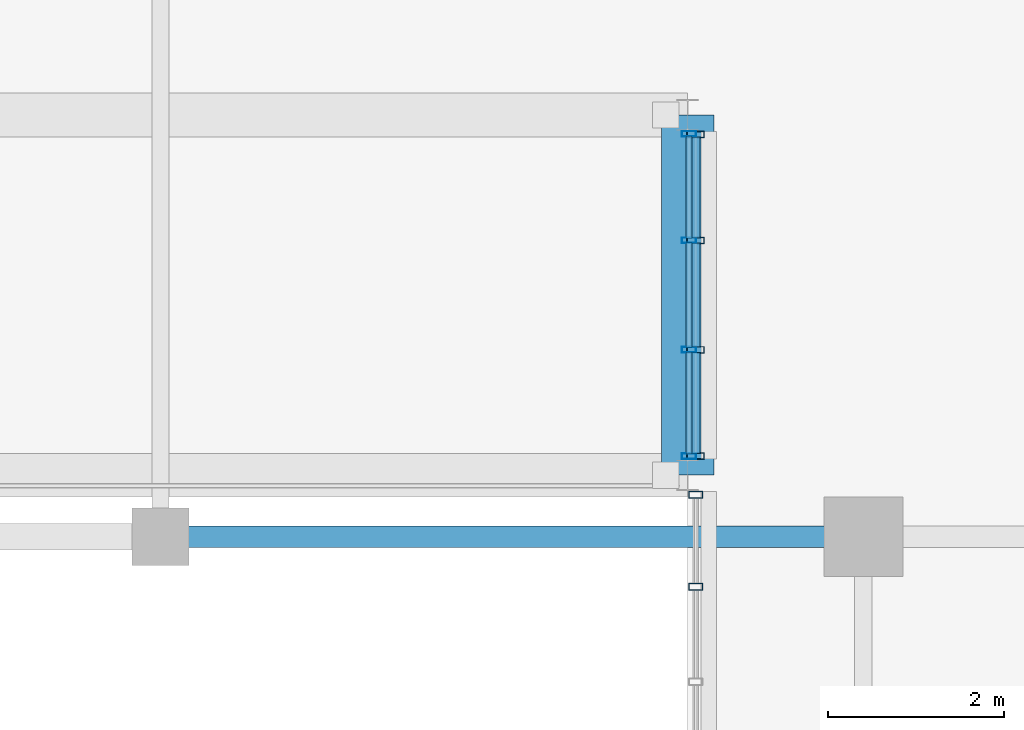
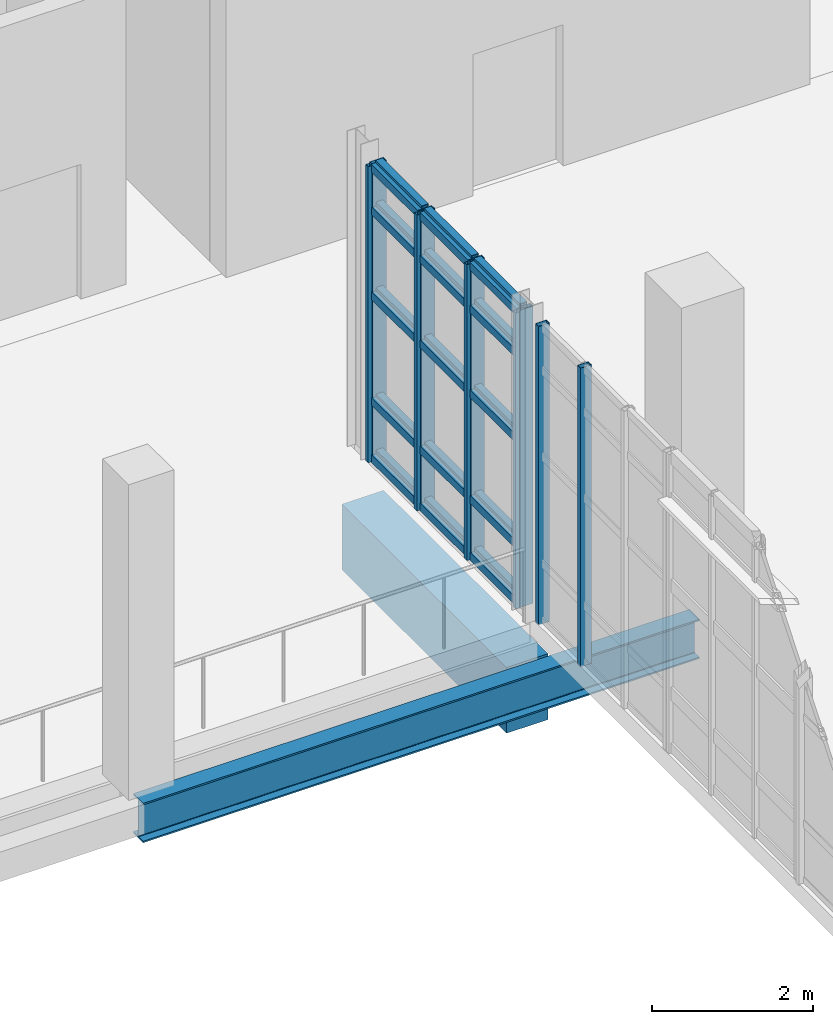
# One storey, part 38 of 127: 40 members, 2 beams, 3 elements without a shape of their own.
"""IFC4 building model written with IfcOpenShell, lengths in metres."""

from ifc_helpers import new_model, si_unit, derived_unit, direction, frame, origin, origin_2d, place, context, subcontext, project, spatial, rectangle, hollow_rectangle, i_section, extrude, material, layer, layer_set, material_profile, profile_set, type_object, element, aggregate, save


model = new_model("IFC4")

# Units and contexts
model_context = context("Model", 3, precision=1e-05, world=origin(), true_north=direction((0.0, 1.0)))
body_context = subcontext(model_context, "Body", "Model", "MODEL_VIEW")
ifc_project = project(units=[si_unit("LENGTHUNIT", "METRE"), si_unit("AREAUNIT", "SQUARE_METRE"), si_unit("VOLUMEUNIT", "CUBIC_METRE"), si_unit("PLANEANGLEUNIT", "RADIAN"), si_unit("MASSUNIT", "GRAM", prefix="KILO"), derived_unit("THERMALTRANSMITTANCEUNIT", [(si_unit("POWERUNIT", "WATT"), 1), (si_unit("LENGTHUNIT", "METRE"), -2), (si_unit("THERMODYNAMICTEMPERATUREUNIT", "KELVIN"), -1)])], contexts=[model_context])

# Site, building, storey
site_placement = place(None, origin())
site = spatial("IfcSite", under=ifc_project, at=site_placement, CompositionType="ELEMENT")
building_placement = place(site_placement, origin())
building = spatial("IfcBuilding", under=site, at=building_placement, Name="Nallur Shell Playhouse", CompositionType="ELEMENT")
storey_placement = place(building_placement, frame((0.0, 0.0, 5.39990234375)))
storey = spatial("IfcBuildingStorey", under=building, at=storey_placement, Name="L02", CompositionType="ELEMENT", Elevation=5.39990234375)

# Beams
ifc_material_1 = material(Name="Concrete M40", Category="concrete")
ifc_material_profile_1 = material_profile(ifc_material_1, rectangle(XDim=0.60009765625, YDim=1.0, at=origin_2d()), Name="RC 600x1000")
ifc_profile_set_1 = profile_set([ifc_material_profile_1], Name="Concrete M40")
beam_type_1 = type_object("IfcBeamType", Name="BM-RC-600x1000", PredefinedType="BEAM", material=ifc_profile_set_1)
beam_1_placement = place(storey_placement, frame((54.0, 65.699951171875, -1.2099609375), z_axis=(0.0, 1.0, 0.0), x_axis=(-1.0, 0.0, 0.0)))
element("IfcBeam", 1, at=beam_1_placement, inside=storey, type_object=beam_type_1, Name="Courtyard bridge 600mm seismic bearing seat corbel 03", PredefinedType="BEAM", context=body_context, shape_type="SweptSolid", body=[
    extrude(rectangle(XDim=0.60009765625, YDim=1.0, at=origin_2d()), origin(), (0.0, 0.0, 1.0), 4.10009765625),
])
ifc_material_2 = material(Name="Steel E350", Category="steel")
ifc_material_profile_2 = material_profile(ifc_material_2, i_section(OverallWidth=0.25, OverallDepth=0.60009765625, WebThickness=0.01171875, FlangeThickness=0.023681640625, FilletRadius=0.01708984375, at=origin_2d()), Name="ISWB 600")
ifc_profile_set_2 = profile_set([ifc_material_profile_2], Name="Steel E350")
beam_type_2 = type_object("IfcBeamType", Name="BM-ST-ISWB600", PredefinedType="BEAM", material=ifc_profile_set_2)
beam_2_placement = place(storey_placement, frame((48.0, 65.0, -0.579833984375), z_axis=(1.0, 0.0, 0.0), x_axis=(0.0, 1.0, 0.0)))
element("IfcBeam", 2, at=beam_2_placement, inside=storey, type_object=beam_type_2, Name="L02 girder X-H-369", PredefinedType="BEAM", context=body_context, shape_type="SweptSolid", body=[
    extrude(i_section(OverallWidth=0.25, OverallDepth=0.60009765625, WebThickness=0.01171875, FlangeThickness=0.023681640625, FilletRadius=0.01708984375, at=origin_2d()), origin(), (0.0, 0.0, 1.0), 8.0),
])

# Curtain wall, members
ifc_material_3 = material(Name="Anodised Aluminium Double-Glazed Facade System", Category="aluminium")
ifc_layer_1 = layer(ifc_material_3, 0.179931640625)
ifc_layer_set_1 = layer_set([ifc_layer_1], Name="Anodised Aluminium Double-Glazed Facade System")
curtain_wall_type_1 = type_object("IfcCurtainWallType", Name="CW-UNIT-17", PredefinedType="NOTDEFINED", material=ifc_layer_set_1)
curtain_wall_1_placement = place(storey_placement, origin())
curtain_wall_1 = element("IfcCurtainWall", 3, at=curtain_wall_1_placement, inside=storey, type_object=curtain_wall_type_1, Name="Unitised curtain wall CW-017 (L02)", PredefinedType="NOTDEFINED")
ifc_material_4 = material(Name="Aluminium Alloy 6063-T6 Mullion", Category="aluminium")
ifc_material_profile_3 = material_profile(ifc_material_4, hollow_rectangle(XDim=0.080078125, YDim=0.159912109375, WallThickness=0.006103515625, at=origin_2d()), Name="RHS 160x80x6")
ifc_profile_set_3 = profile_set([ifc_material_profile_3], Name="Aluminium Alloy 6063-T6 Mullion")
member_type_1 = type_object("IfcMemberType", Name="MB-CW-MUL150", PredefinedType="MULLION", material=ifc_profile_set_3)
member_1_placement = place(storey_placement, frame((54.090087890625, 64.4326171875, -0.014892578125), z_axis=(0.0, 0.0, 1.0), x_axis=(0.0, 1.0, 0.0)))
member_1 = element("IfcMember", 4, at=member_1_placement, type_object=member_type_1, Name="CW-17 mullion 3", PredefinedType="MULLION", context=body_context, shape_type="SweptSolid", body=[
    extrude(hollow_rectangle(XDim=0.080078125, YDim=0.159912109375, WallThickness=0.006103515625, at=origin_2d()), origin(), (0.0, 0.0, 1.0), 4.5390625),
])
member_2_placement = place(storey_placement, frame((54.090087890625, 65.47705078125, -0.014892578125), z_axis=(0.0, 0.0, 1.0), x_axis=(0.0, 1.0, 0.0)))
member_2 = element("IfcMember", 5, at=member_2_placement, type_object=member_type_1, Name="CW-17 mullion 4", PredefinedType="MULLION", context=body_context, shape_type="SweptSolid", body=[
    extrude(hollow_rectangle(XDim=0.080078125, YDim=0.159912109375, WallThickness=0.006103515625, at=origin_2d()), origin(), (0.0, 0.0, 1.0), 4.5390625),
])
aggregate(curtain_wall_1, [member_1, member_2])

ifc_layer_2 = layer(ifc_material_3, 0.1640625)
ifc_layer_set_2 = layer_set([ifc_layer_2], Name="Anodised Aluminium Double-Glazed Facade System")
curtain_wall_type_2 = type_object("IfcCurtainWallType", Name="CW-UNIT-19", PredefinedType="NOTDEFINED", material=ifc_layer_set_2)
curtain_wall_2_placement = place(storey_placement, origin())
curtain_wall_2 = element("IfcCurtainWall", 6, at=curtain_wall_2_placement, inside=storey, type_object=curtain_wall_type_2, Name="Unitised curtain wall CW-019 (L02)", PredefinedType="NOTDEFINED")
ifc_material_profile_4 = material_profile(ifc_material_4, hollow_rectangle(XDim=0.06494140625, YDim=0.159912109375, WallThickness=0.00390625, at=origin_2d()), Name="ALU 65x160x4")
ifc_profile_set_4 = profile_set([ifc_material_profile_4], Name="Aluminium Alloy 6063-T6 Mullion")
member_type_2 = type_object("IfcMemberType", Name="MB-CW-MUL160", PredefinedType="MULLION", material=ifc_profile_set_4)
member_3_placement = place(storey_placement, frame((54.014892578125, 69.58447265625, -0.014892578125), z_axis=(0.0, 0.0, 1.0), x_axis=(0.0, -1.0, 0.0)))
member_3 = element("IfcMember", 7, at=member_3_placement, type_object=member_type_2, Name="CW-19 mullion 1", PredefinedType="MULLION", context=body_context, shape_type="SweptSolid", body=[
    extrude(hollow_rectangle(XDim=0.06494140625, YDim=0.159912109375, WallThickness=0.00390625, at=origin_2d()), origin(), (0.0, 0.0, 1.0), 4.4990234375),
])
member_4_placement = place(storey_placement, frame((54.014892578125, 68.372314453125, -0.014892578125), z_axis=(0.0, 0.0, 1.0), x_axis=(0.0, -1.0, 0.0)))
member_4 = element("IfcMember", 8, at=member_4_placement, type_object=member_type_2, Name="CW-19 mullion 2", PredefinedType="MULLION", context=body_context, shape_type="SweptSolid", body=[
    extrude(hollow_rectangle(XDim=0.06494140625, YDim=0.159912109375, WallThickness=0.00390625, at=origin_2d()), origin(), (0.0, 0.0, 1.0), 4.4990234375),
])
member_5_placement = place(storey_placement, frame((54.014892578125, 67.127685546875, -0.014892578125), z_axis=(0.0, 0.0, 1.0), x_axis=(0.0, -1.0, 0.0)))
member_5 = element("IfcMember", 9, at=member_5_placement, type_object=member_type_2, Name="CW-19 mullion 3", PredefinedType="MULLION", context=body_context, shape_type="SweptSolid", body=[
    extrude(hollow_rectangle(XDim=0.06494140625, YDim=0.159912109375, WallThickness=0.00390625, at=origin_2d()), origin(), (0.0, 0.0, 1.0), 4.4990234375),
])
member_6_placement = place(storey_placement, frame((54.014892578125, 65.91552734375, -0.014892578125), z_axis=(0.0, 0.0, 1.0), x_axis=(0.0, -1.0, 0.0)))
member_6 = element("IfcMember", 10, at=member_6_placement, type_object=member_type_2, Name="CW-19 mullion 4", PredefinedType="MULLION", context=body_context, shape_type="SweptSolid", body=[
    extrude(hollow_rectangle(XDim=0.06494140625, YDim=0.159912109375, WallThickness=0.00390625, at=origin_2d()), origin(), (0.0, 0.0, 1.0), 4.4990234375),
])

ifc_layer_3 = layer(ifc_material_3, 0.159912109375)
ifc_layer_set_3 = layer_set([ifc_layer_3], Name="Anodised Aluminium Double-Glazed Facade System")
curtain_wall_type_3 = type_object("IfcCurtainWallType", Name="CW-UNIT-18", PredefinedType="NOTDEFINED", material=ifc_layer_set_3)
curtain_wall_3_placement = place(storey_placement, origin())
curtain_wall_3 = element("IfcCurtainWall", 11, at=curtain_wall_3_placement, inside=storey, type_object=curtain_wall_type_3, Name="Unitised curtain wall CW-018 (L02)", PredefinedType="NOTDEFINED")
ifc_material_profile_5 = material_profile(ifc_material_4, hollow_rectangle(XDim=0.074951171875, YDim=0.199951171875, WallThickness=0.0048828125, at=origin_2d()), Name="ALU 75x200x5")
ifc_profile_set_5 = profile_set([ifc_material_profile_5], Name="Aluminium Alloy 6063-T6 Mullion")
member_type_3 = type_object("IfcMemberType", Name="MB-CW-MUL180", PredefinedType="MULLION", material=ifc_profile_set_5)
member_7_placement = place(storey_placement, frame((54.090087890625, 65.92041015625, -0.014892578125), z_axis=(0.0, 0.0, 1.0), x_axis=(0.0, 1.0, 0.0)))
member_7 = element("IfcMember", 12, at=member_7_placement, type_object=member_type_3, Name="CW-18 mullion 1", PredefinedType="MULLION", context=body_context, shape_type="SweptSolid", body=[
    extrude(hollow_rectangle(XDim=0.074951171875, YDim=0.199951171875, WallThickness=0.0048828125, at=origin_2d()), origin(), (0.0, 0.0, 1.0), 4.51904296875),
])
member_8_placement = place(storey_placement, frame((54.090087890625, 67.127685546875, -0.014892578125), z_axis=(0.0, 0.0, 1.0), x_axis=(0.0, 1.0, 0.0)))
member_8 = element("IfcMember", 13, at=member_8_placement, type_object=member_type_3, Name="CW-18 mullion 2", PredefinedType="MULLION", context=body_context, shape_type="SweptSolid", body=[
    extrude(hollow_rectangle(XDim=0.074951171875, YDim=0.199951171875, WallThickness=0.0048828125, at=origin_2d()), origin(), (0.0, 0.0, 1.0), 4.51904296875),
])
member_9_placement = place(storey_placement, frame((54.090087890625, 68.372314453125, -0.014892578125), z_axis=(0.0, 0.0, 1.0), x_axis=(0.0, 1.0, 0.0)))
member_9 = element("IfcMember", 14, at=member_9_placement, type_object=member_type_3, Name="CW-18 mullion 3", PredefinedType="MULLION", context=body_context, shape_type="SweptSolid", body=[
    extrude(hollow_rectangle(XDim=0.074951171875, YDim=0.199951171875, WallThickness=0.0048828125, at=origin_2d()), origin(), (0.0, 0.0, 1.0), 4.51904296875),
])
member_10_placement = place(storey_placement, frame((54.090087890625, 69.57958984375, -0.014892578125), z_axis=(0.0, 0.0, 1.0), x_axis=(0.0, 1.0, 0.0)))
member_10 = element("IfcMember", 15, at=member_10_placement, type_object=member_type_3, Name="CW-18 mullion 4", PredefinedType="MULLION", context=body_context, shape_type="SweptSolid", body=[
    extrude(hollow_rectangle(XDim=0.074951171875, YDim=0.199951171875, WallThickness=0.0048828125, at=origin_2d()), origin(), (0.0, 0.0, 1.0), 4.51904296875),
])

# Member
ifc_material_5 = material(Name="Aluminium Alloy 6063-T6 Transom", Category="aluminium")
ifc_material_profile_6 = material_profile(ifc_material_5, hollow_rectangle(XDim=0.06494140625, YDim=0.1201171875, WallThickness=0.00390625, at=origin_2d()), Name="ALU 65x120x4")
ifc_profile_set_6 = profile_set([ifc_material_profile_6], Name="Aluminium Alloy 6063-T6 Transom")
member_type_4 = type_object("IfcMemberType", Name="MB-CW-TRN120", PredefinedType="USERDEFINED", material=ifc_profile_set_6)
member_11_placement = place(storey_placement, frame((54.014892578125, 69.56005859375, 0.03271484375), z_axis=(0.0, -1.0, 0.0), x_axis=(1.0, 0.0, 0.0)))
member_11 = element("IfcMember", 16, at=member_11_placement, type_object=member_type_4, Name="CW-19 transom 1.1", ObjectType="TRANSOM", PredefinedType="USERDEFINED", context=body_context, shape_type="SweptSolid", body=[
    extrude(hollow_rectangle(XDim=0.06494140625, YDim=0.1201171875, WallThickness=0.00390625, at=origin_2d()), origin(), (0.0, 0.0, 1.0), 1.163330078125),
])

member_12_placement = place(storey_placement, frame((54.014892578125, 69.56005859375, 0.900146484375), z_axis=(0.0, -1.0, 0.0), x_axis=(1.0, 0.0, 0.0)))
member_12 = element("IfcMember", 17, at=member_12_placement, type_object=member_type_4, Name="CW-19 transom 1.2", ObjectType="TRANSOM", PredefinedType="USERDEFINED", context=body_context, shape_type="SweptSolid", body=[
    extrude(hollow_rectangle(XDim=0.06494140625, YDim=0.1201171875, WallThickness=0.00390625, at=origin_2d()), origin(), (0.0, 0.0, 1.0), 1.163330078125),
])

member_13_placement = place(storey_placement, frame((54.014892578125, 69.56005859375, 2.509033203125), z_axis=(0.0, -1.0, 0.0), x_axis=(1.0, 0.0, 0.0)))
member_13 = element("IfcMember", 18, at=member_13_placement, type_object=member_type_4, Name="CW-19 transom 1.3", ObjectType="TRANSOM", PredefinedType="USERDEFINED", context=body_context, shape_type="SweptSolid", body=[
    extrude(hollow_rectangle(XDim=0.06494140625, YDim=0.1201171875, WallThickness=0.00390625, at=origin_2d()), origin(), (0.0, 0.0, 1.0), 1.163330078125),
])

member_14_placement = place(storey_placement, frame((54.014892578125, 69.56005859375, 3.800048828125), z_axis=(0.0, -1.0, 0.0), x_axis=(1.0, 0.0, 0.0)))
member_14 = element("IfcMember", 19, at=member_14_placement, type_object=member_type_4, Name="CW-19 transom 1.4", ObjectType="TRANSOM", PredefinedType="USERDEFINED", context=body_context, shape_type="SweptSolid", body=[
    extrude(hollow_rectangle(XDim=0.06494140625, YDim=0.1201171875, WallThickness=0.00390625, at=origin_2d()), origin(), (0.0, 0.0, 1.0), 1.163330078125),
])

member_15_placement = place(storey_placement, frame((54.014892578125, 69.56005859375, 4.447509765625), z_axis=(0.0, -1.0, 0.0), x_axis=(1.0, 0.0, 0.0)))
member_15 = element("IfcMember", 20, at=member_15_placement, type_object=member_type_4, Name="CW-19 transom 1.5", ObjectType="TRANSOM", PredefinedType="USERDEFINED", context=body_context, shape_type="SweptSolid", body=[
    extrude(hollow_rectangle(XDim=0.06494140625, YDim=0.1201171875, WallThickness=0.00390625, at=origin_2d()), origin(), (0.0, 0.0, 1.0), 1.163330078125),
])

member_16_placement = place(storey_placement, frame((54.014892578125, 68.347900390625, 0.03271484375), z_axis=(0.0, -1.0, 0.0), x_axis=(1.0, 0.0, 0.0)))
member_16 = element("IfcMember", 21, at=member_16_placement, type_object=member_type_4, Name="CW-19 transom 2.1", ObjectType="TRANSOM", PredefinedType="USERDEFINED", context=body_context, shape_type="SweptSolid", body=[
    extrude(hollow_rectangle(XDim=0.06494140625, YDim=0.1201171875, WallThickness=0.00390625, at=origin_2d()), origin(), (0.0, 0.0, 1.0), 1.19580078125),
])

member_17_placement = place(storey_placement, frame((54.014892578125, 68.347900390625, 0.900146484375), z_axis=(0.0, -1.0, 0.0), x_axis=(1.0, 0.0, 0.0)))
member_17 = element("IfcMember", 22, at=member_17_placement, type_object=member_type_4, Name="CW-19 transom 2.2", ObjectType="TRANSOM", PredefinedType="USERDEFINED", context=body_context, shape_type="SweptSolid", body=[
    extrude(hollow_rectangle(XDim=0.06494140625, YDim=0.1201171875, WallThickness=0.00390625, at=origin_2d()), origin(), (0.0, 0.0, 1.0), 1.19580078125),
])

member_18_placement = place(storey_placement, frame((54.014892578125, 68.347900390625, 2.509033203125), z_axis=(0.0, -1.0, 0.0), x_axis=(1.0, 0.0, 0.0)))
member_18 = element("IfcMember", 23, at=member_18_placement, type_object=member_type_4, Name="CW-19 transom 2.3", ObjectType="TRANSOM", PredefinedType="USERDEFINED", context=body_context, shape_type="SweptSolid", body=[
    extrude(hollow_rectangle(XDim=0.06494140625, YDim=0.1201171875, WallThickness=0.00390625, at=origin_2d()), origin(), (0.0, 0.0, 1.0), 1.19580078125),
])

member_19_placement = place(storey_placement, frame((54.014892578125, 68.347900390625, 3.800048828125), z_axis=(0.0, -1.0, 0.0), x_axis=(1.0, 0.0, 0.0)))
member_19 = element("IfcMember", 24, at=member_19_placement, type_object=member_type_4, Name="CW-19 transom 2.4", ObjectType="TRANSOM", PredefinedType="USERDEFINED", context=body_context, shape_type="SweptSolid", body=[
    extrude(hollow_rectangle(XDim=0.06494140625, YDim=0.1201171875, WallThickness=0.00390625, at=origin_2d()), origin(), (0.0, 0.0, 1.0), 1.19580078125),
])

member_20_placement = place(storey_placement, frame((54.014892578125, 68.347900390625, 4.447509765625), z_axis=(0.0, -1.0, 0.0), x_axis=(1.0, 0.0, 0.0)))
member_20 = element("IfcMember", 25, at=member_20_placement, type_object=member_type_4, Name="CW-19 transom 2.5", ObjectType="TRANSOM", PredefinedType="USERDEFINED", context=body_context, shape_type="SweptSolid", body=[
    extrude(hollow_rectangle(XDim=0.06494140625, YDim=0.1201171875, WallThickness=0.00390625, at=origin_2d()), origin(), (0.0, 0.0, 1.0), 1.19580078125),
])

member_21_placement = place(storey_placement, frame((54.014892578125, 67.103271484375, 0.03271484375), z_axis=(0.0, -1.0, 0.0), x_axis=(1.0, 0.0, 0.0)))
member_21 = element("IfcMember", 26, at=member_21_placement, type_object=member_type_4, Name="CW-19 transom 3.1", ObjectType="TRANSOM", PredefinedType="USERDEFINED", context=body_context, shape_type="SweptSolid", body=[
    extrude(hollow_rectangle(XDim=0.06494140625, YDim=0.1201171875, WallThickness=0.00390625, at=origin_2d()), origin(), (0.0, 0.0, 1.0), 1.163330078125),
])

member_22_placement = place(storey_placement, frame((54.014892578125, 67.103271484375, 0.900146484375), z_axis=(0.0, -1.0, 0.0), x_axis=(1.0, 0.0, 0.0)))
member_22 = element("IfcMember", 27, at=member_22_placement, type_object=member_type_4, Name="CW-19 transom 3.2", ObjectType="TRANSOM", PredefinedType="USERDEFINED", context=body_context, shape_type="SweptSolid", body=[
    extrude(hollow_rectangle(XDim=0.06494140625, YDim=0.1201171875, WallThickness=0.00390625, at=origin_2d()), origin(), (0.0, 0.0, 1.0), 1.163330078125),
])

member_23_placement = place(storey_placement, frame((54.014892578125, 67.103271484375, 2.509033203125), z_axis=(0.0, -1.0, 0.0), x_axis=(1.0, 0.0, 0.0)))
member_23 = element("IfcMember", 28, at=member_23_placement, type_object=member_type_4, Name="CW-19 transom 3.3", ObjectType="TRANSOM", PredefinedType="USERDEFINED", context=body_context, shape_type="SweptSolid", body=[
    extrude(hollow_rectangle(XDim=0.06494140625, YDim=0.1201171875, WallThickness=0.00390625, at=origin_2d()), origin(), (0.0, 0.0, 1.0), 1.163330078125),
])

member_24_placement = place(storey_placement, frame((54.014892578125, 67.103271484375, 3.800048828125), z_axis=(0.0, -1.0, 0.0), x_axis=(1.0, 0.0, 0.0)))
member_24 = element("IfcMember", 29, at=member_24_placement, type_object=member_type_4, Name="CW-19 transom 3.4", ObjectType="TRANSOM", PredefinedType="USERDEFINED", context=body_context, shape_type="SweptSolid", body=[
    extrude(hollow_rectangle(XDim=0.06494140625, YDim=0.1201171875, WallThickness=0.00390625, at=origin_2d()), origin(), (0.0, 0.0, 1.0), 1.163330078125),
])

member_25_placement = place(storey_placement, frame((54.014892578125, 67.103271484375, 4.447509765625), z_axis=(0.0, -1.0, 0.0), x_axis=(1.0, 0.0, 0.0)))
member_25 = element("IfcMember", 30, at=member_25_placement, type_object=member_type_4, Name="CW-19 transom 3.5", ObjectType="TRANSOM", PredefinedType="USERDEFINED", context=body_context, shape_type="SweptSolid", body=[
    extrude(hollow_rectangle(XDim=0.06494140625, YDim=0.1201171875, WallThickness=0.00390625, at=origin_2d()), origin(), (0.0, 0.0, 1.0), 1.163330078125),
])

aggregate(curtain_wall_2, [member_3, member_4, member_5, member_6, member_11, member_12, member_13, member_14, member_15, member_16, member_17, member_18, member_19, member_20, member_21, member_22, member_23, member_24, member_25])

ifc_material_profile_7 = material_profile(ifc_material_5, hollow_rectangle(XDim=0.10009765625, YDim=0.199951171875, WallThickness=0.008056640625, at=origin_2d()), Name="RHS 200x100x8")
ifc_profile_set_7 = profile_set([ifc_material_profile_7], Name="Aluminium Alloy 6063-T6 Transom")
member_type_5 = type_object("IfcMemberType", Name="MB-CW-TRN140", PredefinedType="USERDEFINED", material=ifc_profile_set_7)
member_26_placement = place(storey_placement, frame((54.090087890625, 65.949951171875, 0.050048828125), z_axis=(0.0, 1.0, 0.0), x_axis=(-1.0, 0.0, 0.0)))
member_26 = element("IfcMember", 31, at=member_26_placement, type_object=member_type_5, Name="CW-18 transom 1.1", ObjectType="TRANSOM", PredefinedType="USERDEFINED", context=body_context, shape_type="SweptSolid", body=[
    extrude(hollow_rectangle(XDim=0.10009765625, YDim=0.199951171875, WallThickness=0.008056640625, at=origin_2d()), origin(), (0.0, 0.0, 1.0), 1.148193359375),
])

member_27_placement = place(storey_placement, frame((54.090087890625, 65.949951171875, 0.900146484375), z_axis=(0.0, 1.0, 0.0), x_axis=(-1.0, 0.0, 0.0)))
member_27 = element("IfcMember", 32, at=member_27_placement, type_object=member_type_5, Name="CW-18 transom 1.2", ObjectType="TRANSOM", PredefinedType="USERDEFINED", context=body_context, shape_type="SweptSolid", body=[
    extrude(hollow_rectangle(XDim=0.10009765625, YDim=0.199951171875, WallThickness=0.008056640625, at=origin_2d()), origin(), (0.0, 0.0, 1.0), 1.148193359375),
])

member_28_placement = place(storey_placement, frame((54.090087890625, 65.949951171875, 2.52001953125), z_axis=(0.0, 1.0, 0.0), x_axis=(-1.0, 0.0, 0.0)))
member_28 = element("IfcMember", 33, at=member_28_placement, type_object=member_type_5, Name="CW-18 transom 1.3", ObjectType="TRANSOM", PredefinedType="USERDEFINED", context=body_context, shape_type="SweptSolid", body=[
    extrude(hollow_rectangle(XDim=0.10009765625, YDim=0.199951171875, WallThickness=0.008056640625, at=origin_2d()), origin(), (0.0, 0.0, 1.0), 1.148193359375),
])

member_29_placement = place(storey_placement, frame((54.090087890625, 65.949951171875, 3.820068359375), z_axis=(0.0, 1.0, 0.0), x_axis=(-1.0, 0.0, 0.0)))
member_29 = element("IfcMember", 34, at=member_29_placement, type_object=member_type_5, Name="CW-18 transom 1.4", ObjectType="TRANSOM", PredefinedType="USERDEFINED", context=body_context, shape_type="SweptSolid", body=[
    extrude(hollow_rectangle(XDim=0.10009765625, YDim=0.199951171875, WallThickness=0.008056640625, at=origin_2d()), origin(), (0.0, 0.0, 1.0), 1.148193359375),
])

member_30_placement = place(storey_placement, frame((54.090087890625, 65.949951171875, 4.4501953125), z_axis=(0.0, 1.0, 0.0), x_axis=(-1.0, 0.0, 0.0)))
member_30 = element("IfcMember", 35, at=member_30_placement, type_object=member_type_5, Name="CW-18 transom 1.5", ObjectType="TRANSOM", PredefinedType="USERDEFINED", context=body_context, shape_type="SweptSolid", body=[
    extrude(hollow_rectangle(XDim=0.10009765625, YDim=0.199951171875, WallThickness=0.008056640625, at=origin_2d()), origin(), (0.0, 0.0, 1.0), 1.148193359375),
])

member_31_placement = place(storey_placement, frame((54.090087890625, 67.1572265625, 0.050048828125), z_axis=(0.0, 1.0, 0.0), x_axis=(-1.0, 0.0, 0.0)))
member_31 = element("IfcMember", 36, at=member_31_placement, type_object=member_type_5, Name="CW-18 transom 2.1", ObjectType="TRANSOM", PredefinedType="USERDEFINED", context=body_context, shape_type="SweptSolid", body=[
    extrude(hollow_rectangle(XDim=0.10009765625, YDim=0.199951171875, WallThickness=0.008056640625, at=origin_2d()), origin(), (0.0, 0.0, 1.0), 1.185546875),
])

member_32_placement = place(storey_placement, frame((54.090087890625, 67.1572265625, 0.900146484375), z_axis=(0.0, 1.0, 0.0), x_axis=(-1.0, 0.0, 0.0)))
member_32 = element("IfcMember", 37, at=member_32_placement, type_object=member_type_5, Name="CW-18 transom 2.2", ObjectType="TRANSOM", PredefinedType="USERDEFINED", context=body_context, shape_type="SweptSolid", body=[
    extrude(hollow_rectangle(XDim=0.10009765625, YDim=0.199951171875, WallThickness=0.008056640625, at=origin_2d()), origin(), (0.0, 0.0, 1.0), 1.185546875),
])

member_33_placement = place(storey_placement, frame((54.090087890625, 67.1572265625, 2.52001953125), z_axis=(0.0, 1.0, 0.0), x_axis=(-1.0, 0.0, 0.0)))
member_33 = element("IfcMember", 38, at=member_33_placement, type_object=member_type_5, Name="CW-18 transom 2.3", ObjectType="TRANSOM", PredefinedType="USERDEFINED", context=body_context, shape_type="SweptSolid", body=[
    extrude(hollow_rectangle(XDim=0.10009765625, YDim=0.199951171875, WallThickness=0.008056640625, at=origin_2d()), origin(), (0.0, 0.0, 1.0), 1.185546875),
])

member_34_placement = place(storey_placement, frame((54.090087890625, 67.1572265625, 3.820068359375), z_axis=(0.0, 1.0, 0.0), x_axis=(-1.0, 0.0, 0.0)))
member_34 = element("IfcMember", 39, at=member_34_placement, type_object=member_type_5, Name="CW-18 transom 2.4", ObjectType="TRANSOM", PredefinedType="USERDEFINED", context=body_context, shape_type="SweptSolid", body=[
    extrude(hollow_rectangle(XDim=0.10009765625, YDim=0.199951171875, WallThickness=0.008056640625, at=origin_2d()), origin(), (0.0, 0.0, 1.0), 1.185546875),
])

member_35_placement = place(storey_placement, frame((54.090087890625, 67.1572265625, 4.4501953125), z_axis=(0.0, 1.0, 0.0), x_axis=(-1.0, 0.0, 0.0)))
member_35 = element("IfcMember", 40, at=member_35_placement, type_object=member_type_5, Name="CW-18 transom 2.5", ObjectType="TRANSOM", PredefinedType="USERDEFINED", context=body_context, shape_type="SweptSolid", body=[
    extrude(hollow_rectangle(XDim=0.10009765625, YDim=0.199951171875, WallThickness=0.008056640625, at=origin_2d()), origin(), (0.0, 0.0, 1.0), 1.185546875),
])

member_36_placement = place(storey_placement, frame((54.090087890625, 68.40185546875, 0.050048828125), z_axis=(0.0, 1.0, 0.0), x_axis=(-1.0, 0.0, 0.0)))
member_36 = element("IfcMember", 41, at=member_36_placement, type_object=member_type_5, Name="CW-18 transom 3.1", ObjectType="TRANSOM", PredefinedType="USERDEFINED", context=body_context, shape_type="SweptSolid", body=[
    extrude(hollow_rectangle(XDim=0.10009765625, YDim=0.199951171875, WallThickness=0.008056640625, at=origin_2d()), origin(), (0.0, 0.0, 1.0), 1.148193359375),
])

member_37_placement = place(storey_placement, frame((54.090087890625, 68.40185546875, 0.900146484375), z_axis=(0.0, 1.0, 0.0), x_axis=(-1.0, 0.0, 0.0)))
member_37 = element("IfcMember", 42, at=member_37_placement, type_object=member_type_5, Name="CW-18 transom 3.2", ObjectType="TRANSOM", PredefinedType="USERDEFINED", context=body_context, shape_type="SweptSolid", body=[
    extrude(hollow_rectangle(XDim=0.10009765625, YDim=0.199951171875, WallThickness=0.008056640625, at=origin_2d()), origin(), (0.0, 0.0, 1.0), 1.148193359375),
])

member_38_placement = place(storey_placement, frame((54.090087890625, 68.40185546875, 2.52001953125), z_axis=(0.0, 1.0, 0.0), x_axis=(-1.0, 0.0, 0.0)))
member_38 = element("IfcMember", 43, at=member_38_placement, type_object=member_type_5, Name="CW-18 transom 3.3", ObjectType="TRANSOM", PredefinedType="USERDEFINED", context=body_context, shape_type="SweptSolid", body=[
    extrude(hollow_rectangle(XDim=0.10009765625, YDim=0.199951171875, WallThickness=0.008056640625, at=origin_2d()), origin(), (0.0, 0.0, 1.0), 1.148193359375),
])

member_39_placement = place(storey_placement, frame((54.090087890625, 68.40185546875, 3.820068359375), z_axis=(0.0, 1.0, 0.0), x_axis=(-1.0, 0.0, 0.0)))
member_39 = element("IfcMember", 44, at=member_39_placement, type_object=member_type_5, Name="CW-18 transom 3.4", ObjectType="TRANSOM", PredefinedType="USERDEFINED", context=body_context, shape_type="SweptSolid", body=[
    extrude(hollow_rectangle(XDim=0.10009765625, YDim=0.199951171875, WallThickness=0.008056640625, at=origin_2d()), origin(), (0.0, 0.0, 1.0), 1.148193359375),
])

member_40_placement = place(storey_placement, frame((54.090087890625, 68.40185546875, 4.4501953125), z_axis=(0.0, 1.0, 0.0), x_axis=(-1.0, 0.0, 0.0)))
member_40 = element("IfcMember", 45, at=member_40_placement, type_object=member_type_5, Name="CW-18 transom 3.5", ObjectType="TRANSOM", PredefinedType="USERDEFINED", context=body_context, shape_type="SweptSolid", body=[
    extrude(hollow_rectangle(XDim=0.10009765625, YDim=0.199951171875, WallThickness=0.008056640625, at=origin_2d()), origin(), (0.0, 0.0, 1.0), 1.148193359375),
])

aggregate(curtain_wall_3, [member_7, member_8, member_9, member_10, member_26, member_27, member_28, member_29, member_30, member_31, member_32, member_33, member_34, member_35, member_36, member_37, member_38, member_39, member_40])

save(model, "model.ifc")
